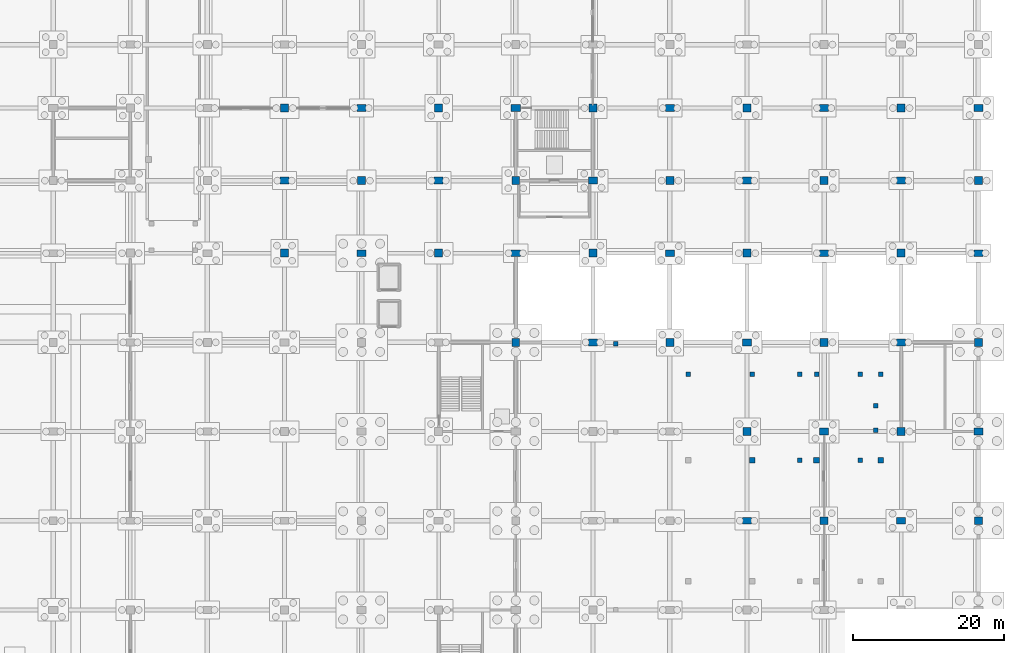
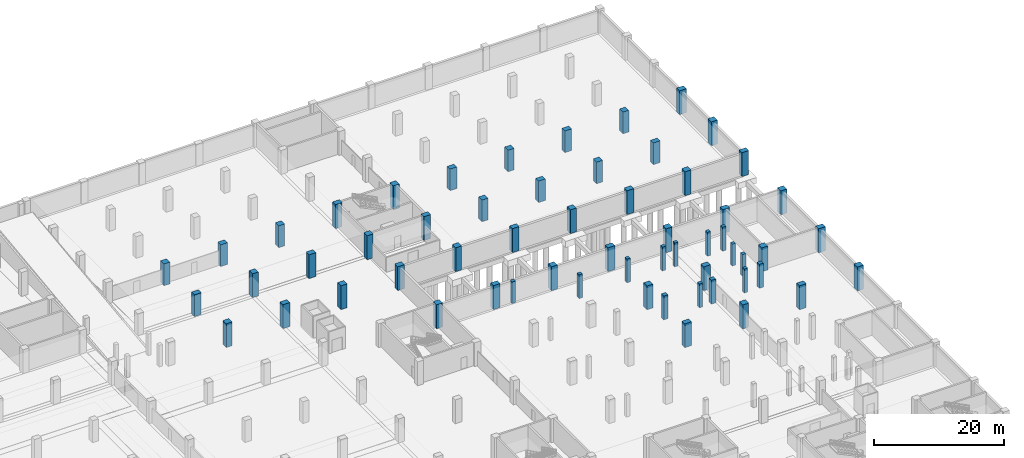
# One storey, part 24 of 52: 59 columns.
"""IFC4 building model written with IfcOpenShell, lengths in metres."""

import ifcopenshell
import ifcopenshell.guid

model = None  # the IFC model being written
_history = None  # IfcOwnerHistory: only IFC2X3 demands one
_inside = {}  # id of a spatial element -> (the spatial element, [elements in it])
_under = {}  # id of a project, library or spatial element -> (it, [spatial elements below it])
_declared = {}  # id of a project -> (the project, [libraries it declares])
_typed = {}  # id of a type object -> (the type object, [elements of that type])
_made_of = {}  # id of a material, layer set ... -> (it, [elements and type objects made of it])


def new_model(schema):
    """Start an empty IFC model of exactly this schema.

    Asked for "IFC4X3", IfcOpenShell would pick the latest addendum, in which some entities
    have other attributes; the version numbers below select the first issue.
    IFC2X3 requires an IfcOwnerHistory on every rooted entity: one is made here for all.
    """
    global model, _history
    if schema == "IFC4X3":
        model = ifcopenshell.file(schema_version=(4, 3, 0, 0))
    else:
        model = ifcopenshell.file(schema=schema)
    _inside.clear()
    _under.clear()
    _declared.clear()
    _typed.clear()
    _made_of.clear()
    _history = None
    if model.schema == "IFC2X3":
        org = make("IfcOrganization", Name="unknown")
        user = make(
            "IfcPersonAndOrganization",
            ThePerson=make("IfcPerson", FamilyName="unknown"),
            TheOrganization=org,
        )
        app = make(
            "IfcApplication",
            ApplicationDeveloper=org,
            Version="unknown",
            ApplicationFullName="unknown",
            ApplicationIdentifier="unknown",
        )
        _history = make(
            "IfcOwnerHistory",
            OwningUser=user,
            OwningApplication=app,
            ChangeAction="ADDED",
            CreationDate=0,
        )
    return model


def make(cls, **values):
    """One entity of the class cls with the attributes given. An attribute that is None is left unset."""
    return model.create_entity(
        cls, **{name: value for name, value in values.items() if value is not None}
    )


def rooted(cls, **values):
    """An entity with a GlobalId (a new one), such as an element, a storey or a relation."""
    return make(cls, GlobalId=ifcopenshell.guid.new(), OwnerHistory=_history, **values)


def si_unit(unit_type, name, prefix=None):
    """IfcSIUnit, for example si_unit("LENGTHUNIT", "METRE", prefix="MILLI")."""
    return make("IfcSIUnit", UnitType=unit_type, Prefix=prefix, Name=name)


def assignment(units):
    """IfcUnitAssignment: the units of a project."""
    return None if units is None else make("IfcUnitAssignment", Units=units)


def point(xyz):
    """IfcCartesianPoint."""
    return None if xyz is None else make("IfcCartesianPoint", Coordinates=xyz)


def direction(xyz):
    """IfcDirection."""
    return None if xyz is None else make("IfcDirection", DirectionRatios=xyz)


def frame(location, z_axis=None, x_axis=None):
    """IfcAxis2Placement3D, a coordinate frame: its origin and axes. An axis left out is left unset."""
    return make(
        "IfcAxis2Placement3D",
        Location=point(location),
        Axis=direction(z_axis),
        RefDirection=direction(x_axis),
    )


def frame_2d(location, x_axis=None):
    """IfcAxis2Placement2D, a coordinate frame in the plane: its origin and x axis."""
    return make(
        "IfcAxis2Placement2D", Location=point(location), RefDirection=direction(x_axis)
    )


def origin():
    """The frame at (0, 0, 0) with its axes left unset."""
    return frame((0.0, 0.0, 0.0))


def origin_2d():
    """The frame at (0, 0) in the plane with its x axis left unset."""
    return frame_2d((0.0, 0.0))


def place(relative_to, where):
    """IfcLocalPlacement: puts the frame where relative to a parent placement (None: the world)."""
    return make(
        "IfcLocalPlacement", PlacementRelTo=relative_to, RelativePlacement=where
    )


def context(
    kind, dimensions, precision=None, world=None, true_north=None, identifier=None
):
    """IfcGeometricRepresentationContext, for example the 3D "Model" context."""
    return make(
        "IfcGeometricRepresentationContext",
        ContextIdentifier=identifier,
        ContextType=kind,
        CoordinateSpaceDimension=dimensions,
        Precision=precision,
        WorldCoordinateSystem=world,
        TrueNorth=true_north,
    )


def subcontext(parent, identifier, kind, view, scale=None):
    """IfcGeometricRepresentationSubContext, for example "Body" below "Model"."""
    return make(
        "IfcGeometricRepresentationSubContext",
        ContextIdentifier=identifier,
        ContextType=kind,
        ParentContext=parent,
        TargetScale=scale,
        TargetView=view,
    )


def project(units=None, contexts=None):
    """IfcProject with its units and contexts."""
    return rooted(
        "IfcProject",
        Name="project",
        RepresentationContexts=contexts,
        UnitsInContext=assignment(units),
    )


def spatial(cls, under=None, at=None, **own):
    """A site, building, storey or space (cls), placed at a placement, below another one or the project."""
    s = rooted(cls, ObjectPlacement=at, **own)
    if under is not None:
        _under.setdefault(under.id(), (under, []))[1].append(s)
    return s


def profile(cls, at=None, kind="AREA", **sizes):
    """A parametric profile (cls). Its sizes go by their IFC names, for example OverallWidth=200.0."""
    return make(cls, ProfileType=kind, Position=at, **sizes)


def rectangle(**sizes):
    """IfcRectangleProfileDef."""
    return profile("IfcRectangleProfileDef", **sizes)


def extrude(swept, where, along, depth):
    """IfcExtrudedAreaSolid: the profile swept, set in the frame where, extruded along a direction by depth."""
    return make(
        "IfcExtrudedAreaSolid",
        SweptArea=swept,
        Position=where,
        ExtrudedDirection=direction(along),
        Depth=depth,
    )


def shape(context_of_items, identifier, shape_type, items):
    """IfcShapeRepresentation: the items that make up one representation, for example the "Body"."""
    return make(
        "IfcShapeRepresentation",
        ContextOfItems=context_of_items,
        RepresentationIdentifier=identifier,
        RepresentationType=shape_type,
        Items=items,
    )


def material(Name=None, Category=None):
    """IfcMaterial."""
    return make("IfcMaterial", Name=Name, Category=Category)


def material_profile(
    of_material, cross_section, Name=None, Category=None, Priority=None
):
    """IfcMaterialProfile: a cross section and its material."""
    return make(
        "IfcMaterialProfile",
        Name=Name,
        Material=of_material,
        Profile=cross_section,
        Priority=Priority,
        Category=Category,
    )


def profile_set(profiles, Name=None, composite=None):
    """IfcMaterialProfileSet."""
    return make(
        "IfcMaterialProfileSet",
        Name=Name,
        MaterialProfiles=profiles,
        CompositeProfile=composite,
    )


def made_of(thing, what):
    """Note that an element or type object is made of a material, layer set ...; save() writes the relation."""
    if what is not None:
        _made_of.setdefault(what.id(), (what, []))[1].append(thing)
    return thing


def type_object(cls, material=None, **own):
    """A type object (cls), such as IfcWallType, which elements share."""
    return made_of(rooted(cls, **own), material)


def element(
    cls,
    number,
    at=None,
    inside=None,
    cuts=None,
    type_object=None,
    material=None,
    context=None,
    identifier="Body",
    shape_type=None,
    held_by="IfcProductDefinitionShape",
    body=None,
    shapes=None,
    **own,
):
    """One element of the class cls, such as IfcWall. Its Tag is "e" and its number.

    at: its placement. inside: the storey or other place that contains it. cuts: it is an
    opening in that element (IfcRelVoidsElement). A single representation is given by context,
    identifier, shape_type and body (its items); several are given by shapes. held_by: the class
    of the entity that holds the representations. save() writes the other relations.
    """
    e = rooted(cls, Tag="e%d" % number, ObjectPlacement=at, **own)
    if body is not None:
        shapes = [shape(context, identifier, shape_type, body)]
    if shapes is not None:
        e.Representation = make(held_by, Representations=shapes)
    if inside is not None:
        _inside.setdefault(inside.id(), (inside, []))[1].append(e)
    if cuts is not None:
        rooted(
            "IfcRelVoidsElement", RelatingBuildingElement=cuts, RelatedOpeningElement=e
        )
    if type_object is not None:
        _typed.setdefault(type_object.id(), (type_object, []))[1].append(e)
    return made_of(e, material)


def aggregate(whole, parts):
    """IfcRelAggregates: a whole, such as a stair, and the parts it consists of."""
    return rooted("IfcRelAggregates", RelatingObject=whole, RelatedObjects=parts)


def save(model, path):
    """Write the relations noted so far, then the file.

    IfcRelAggregates (storeys below a building ...), IfcRelContainedInSpatialStructure (elements
    in a storey), IfcRelDefinesByType, IfcRelAssociatesMaterial and IfcRelDeclares: one each for
    every whole, place, type object, material and project.
    """
    for whole, parts in _under.values():
        aggregate(whole, parts)
    for where, things in _inside.values():
        rooted(
            "IfcRelContainedInSpatialStructure",
            RelatedElements=things,
            RelatingStructure=where,
        )
    for kind, things in _typed.values():
        rooted("IfcRelDefinesByType", RelatedObjects=things, RelatingType=kind)
    for what, things in _made_of.values():
        rooted("IfcRelAssociatesMaterial", RelatedObjects=things, RelatingMaterial=what)
    for by, libraries in _declared.values():
        rooted("IfcRelDeclares", RelatingContext=by, RelatedDefinitions=libraries)
    model.write(path)


model = new_model("IFC4")

# Units and contexts
model_context = context("Model", 3, precision=1e-05, world=origin(), true_north=direction((0.0, 1.0)))
body_context = subcontext(model_context, "Body", "Model", "MODEL_VIEW")
ifc_project = project(units=[si_unit("LENGTHUNIT", "METRE"), si_unit("AREAUNIT", "SQUARE_METRE"), si_unit("VOLUMEUNIT", "CUBIC_METRE"), si_unit("PLANEANGLEUNIT", "RADIAN"), si_unit("MASSUNIT", "GRAM", prefix="KILO")], contexts=[model_context])

# Site, building, storey
site_placement = place(None, origin())
site = spatial("IfcSite", under=ifc_project, at=site_placement, CompositionType="ELEMENT")
building_placement = place(site_placement, origin())
building = spatial("IfcBuilding", under=site, at=building_placement, Name="Brelvane Convention Centre", CompositionType="ELEMENT")
storey_placement = place(building_placement, frame((0.0, 0.0, -4.5)))
storey = spatial("IfcBuildingStorey", under=building, at=storey_placement, Name="B1", CompositionType="ELEMENT", Elevation=-4.5)

# Columns
ifc_material_1 = material(Name="Concrete M50", Category="concrete")
ifc_material_profile_1 = material_profile(ifc_material_1, rectangle(XDim=1.050048828125, YDim=1.050048828125, at=origin_2d()), Name="RC 1050x1050")
ifc_profile_set_1 = profile_set([ifc_material_profile_1], Name="Concrete M50")
column_type_1 = type_object("IfcColumnType", Name="RC Column C-RC1 (RC 1050x1050)", PredefinedType="COLUMN", material=ifc_profile_set_1)
column_1_placement = place(storey_placement, frame((132.60009765625, 99.60009765625, 0.0), z_axis=(0.0, 0.0, 1.0), x_axis=(1.0, 0.0, 0.0)))
element("IfcColumn", 1, at=column_1_placement, inside=storey, type_object=column_type_1, Name="Column 14-K (B1)", PredefinedType="COLUMN", context=body_context, shape_type="SweptSolid", body=[
    extrude(rectangle(XDim=1.050048828125, YDim=1.050048828125, at=origin_2d()), origin(), (0.0, 0.0, 1.0), 4.5),
])
column_2_placement = place(storey_placement, frame((132.60009765625, 118.800048828125, 0.0), z_axis=(0.0, 0.0, 1.0), x_axis=(1.0, 0.0, 0.0)))
element("IfcColumn", 2, at=column_2_placement, inside=storey, type_object=column_type_1, Name="Column 14-M (B1)", PredefinedType="COLUMN", context=body_context, shape_type="SweptSolid", body=[
    extrude(rectangle(XDim=1.050048828125, YDim=1.050048828125, at=origin_2d()), origin(), (0.0, 0.0, 1.0), 4.10009765625),
])
for number, where, z_axis, x_axis, name in (
    (3, (142.800048828125, 109.199951171875, 0.0), (0.0, 0.0, 1.0), (1.0, 0.0, 0.0), "Column 15-L (B1)"),
    (4, (153.0, 99.60009765625, 0.0), (0.0, 0.0, 1.0), (1.0, 0.0, 0.0), "Column 16-K (B1)"),
):
    element("IfcColumn", number, at=place(storey_placement, frame(where, z_axis=z_axis, x_axis=x_axis)), inside=storey, type_object=column_type_1, Name=name, PredefinedType="COLUMN", context=body_context, shape_type="SweptSolid", body=[
        extrude(rectangle(XDim=1.050048828125, YDim=1.050048828125, at=origin_2d()), origin(), (0.0, 0.0, 1.0), 4.5),
    ])
column_3_placement = place(storey_placement, frame((153.0, 118.800048828125, 0.0), z_axis=(0.0, 0.0, 1.0), x_axis=(1.0, 0.0, 0.0)))
element("IfcColumn", 5, at=column_3_placement, inside=storey, type_object=column_type_1, Name="Column 16-M (B1)", PredefinedType="COLUMN", context=body_context, shape_type="SweptSolid", body=[
    extrude(rectangle(XDim=1.050048828125, YDim=1.050048828125, at=origin_2d()), origin(), (0.0, 0.0, 1.0), 4.10009765625),
])
for number, where, z_axis, x_axis, name in (
    (6, (163.199951171875, 87.800048828125, 0.0), (0.0, 0.0, 1.0), (1.0, 0.0, 0.0), "Column 17-J (B1)"),
    (7, (163.199951171875, 109.199951171875, 0.0), (0.0, 0.0, 1.0), (1.0, 0.0, 0.0), "Column 17-L (B1)"),
    (8, (173.39990234375, 99.60009765625, 0.0), (0.0, 0.0, 1.0), (1.0, 0.0, 0.0), "Column 18-K (B1)"),
    (9, (173.39990234375, 118.800048828125, 0.0), (0.0, 0.0, 1.0), (1.0, 0.0, 0.0), "Column 18-M (B1)"),
    (10, (183.60009765625, 87.800048828125, 0.0), (0.0, 0.0, 1.0), (1.0, 0.0, 0.0), "Column 19-J (B1)"),
):
    element("IfcColumn", number, at=place(storey_placement, frame(where, z_axis=z_axis, x_axis=x_axis)), inside=storey, type_object=column_type_1, Name=name, PredefinedType="COLUMN", context=body_context, shape_type="SweptSolid", body=[
        extrude(rectangle(XDim=1.050048828125, YDim=1.050048828125, at=origin_2d()), origin(), (0.0, 0.0, 1.0), 4.5),
    ])
column_4_placement = place(storey_placement, frame((183.60009765625, 109.199951171875, 0.0), z_axis=(0.0, 0.0, 1.0), x_axis=(1.0, 0.0, 0.0)))
element("IfcColumn", 11, at=column_4_placement, inside=storey, type_object=column_type_1, Name="Column 19-L (B1)", PredefinedType="COLUMN", context=body_context, shape_type="SweptSolid", body=[
    extrude(rectangle(XDim=1.050048828125, YDim=1.050048828125, at=origin_2d()), origin(), (0.0, 0.0, 1.0), 4.054931640625),
])
for number, where, z_axis, x_axis, name in (
    (12, (193.800048828125, 76.0, 0.0), (0.0, 0.0, 1.0), (1.0, 0.0, 0.0), "Column 20-H (B1)"),
    (13, (193.800048828125, 99.60009765625, 0.0), (0.0, 0.0, 1.0), (1.0, 0.0, 0.0), "Column 20-K (B1)"),
):
    element("IfcColumn", number, at=place(storey_placement, frame(where, z_axis=z_axis, x_axis=x_axis)), inside=storey, type_object=column_type_1, Name=name, PredefinedType="COLUMN", context=body_context, shape_type="SweptSolid", body=[
        extrude(rectangle(XDim=1.050048828125, YDim=1.050048828125, at=origin_2d()), origin(), (0.0, 0.0, 1.0), 4.5),
    ])
column_5_placement = place(storey_placement, frame((193.800048828125, 118.800048828125, 0.0), z_axis=(0.0, 0.0, 1.0), x_axis=(1.0, 0.0, 0.0)))
element("IfcColumn", 14, at=column_5_placement, inside=storey, type_object=column_type_1, Name="Column 20-M (B1)", PredefinedType="COLUMN", context=body_context, shape_type="SweptSolid", body=[
    extrude(rectangle(XDim=1.050048828125, YDim=1.050048828125, at=origin_2d()), origin(), (0.0, 0.0, 1.0), 4.054931640625),
])
for number, where, z_axis, x_axis, name in (
    (15, (204.0, 64.199951171875, 0.0), (0.0, 0.0, 1.0), (1.0, 0.0, 0.0), "Column 21-G (B1)"),
    (16, (204.0, 87.800048828125, 0.0), (0.0, 0.0, 1.0), (1.0, 0.0, 0.0), "Column 21-J (B1)"),
):
    element("IfcColumn", number, at=place(storey_placement, frame(where, z_axis=z_axis, x_axis=x_axis)), inside=storey, type_object=column_type_1, Name=name, PredefinedType="COLUMN", context=body_context, shape_type="SweptSolid", body=[
        extrude(rectangle(XDim=1.050048828125, YDim=1.050048828125, at=origin_2d()), origin(), (0.0, 0.0, 1.0), 4.5),
    ])
column_6_placement = place(storey_placement, frame((204.0, 109.199951171875, 0.0), z_axis=(0.0, 0.0, 1.0), x_axis=(1.0, 0.0, 0.0)))
element("IfcColumn", 17, at=column_6_placement, inside=storey, type_object=column_type_1, Name="Column 21-L (B1)", PredefinedType="COLUMN", context=body_context, shape_type="SweptSolid", body=[
    extrude(rectangle(XDim=1.050048828125, YDim=1.050048828125, at=origin_2d()), origin(), (0.0, 0.0, 1.0), 4.054931640625),
])
for number, where, z_axis, x_axis, name in (
    (18, (214.199951171875, 76.0, 0.0), (0.0, 0.0, 1.0), (1.0, 0.0, 0.0), "Column 22-H (B1)"),
    (19, (214.199951171875, 99.60009765625, 0.0), (0.0, 0.0, 1.0), (1.0, 0.0, 0.0), "Column 22-K (B1)"),
):
    element("IfcColumn", number, at=place(storey_placement, frame(where, z_axis=z_axis, x_axis=x_axis)), inside=storey, type_object=column_type_1, Name=name, PredefinedType="COLUMN", context=body_context, shape_type="SweptSolid", body=[
        extrude(rectangle(XDim=1.050048828125, YDim=1.050048828125, at=origin_2d()), origin(), (0.0, 0.0, 1.0), 4.5),
    ])
column_7_placement = place(storey_placement, frame((214.199951171875, 118.800048828125, 0.0), z_axis=(0.0, 0.0, 1.0), x_axis=(1.0, 0.0, 0.0)))
element("IfcColumn", 20, at=column_7_placement, inside=storey, type_object=column_type_1, Name="Column 22-M (B1)", PredefinedType="COLUMN", context=body_context, shape_type="SweptSolid", body=[
    extrude(rectangle(XDim=1.050048828125, YDim=1.050048828125, at=origin_2d()), origin(), (0.0, 0.0, 1.0), 4.054931640625),
])
for number, where, z_axis, x_axis, name in (
    (21, (224.39990234375, 64.199951171875, 0.0), (0.0, 0.0, 1.0), (1.0, 0.0, 0.0), "Column 23-G (B1)"),
    (22, (224.39990234375, 87.800048828125, 0.0), (0.0, 0.0, 1.0), (1.0, 0.0, 0.0), "Column 23-J (B1)"),
    (23, (224.39990234375, 109.199951171875, 0.0), (0.0, 0.0, 1.0), (1.0, 0.0, 0.0), "Column 23-L (B1)"),
):
    element("IfcColumn", number, at=place(storey_placement, frame(where, z_axis=z_axis, x_axis=x_axis)), inside=storey, type_object=column_type_1, Name=name, PredefinedType="COLUMN", context=body_context, shape_type="SweptSolid", body=[
        extrude(rectangle(XDim=1.050048828125, YDim=1.050048828125, at=origin_2d()), origin(), (0.0, 0.0, 1.0), 4.5),
    ])
ifc_material_2 = material(Name="Concrete M50", Category="concrete")
ifc_material_profile_2 = material_profile(ifc_material_2, rectangle(XDim=0.75, YDim=0.75, at=origin_2d()), Name="RC 750x750")
ifc_profile_set_2 = profile_set([ifc_material_profile_2], Name="Concrete M50")
column_type_2 = type_object("IfcColumnType", Name="RC Column C-RC3 (RC 750x750)", PredefinedType="COLUMN", material=ifc_profile_set_2)
for number, where, z_axis, x_axis, name in (
    (24, (194.5, 72.199951171875, 0.0), (0.0, 0.0, 1.0), (1.0, 0.0, 0.0), "Plenary Bowl Tier Column B1 L2-Y72"),
    (25, (203.0, 72.199951171875, 0.0), (0.0, 0.0, 1.0), (1.0, 0.0, 0.0), "Plenary Bowl Tier Column B1 L3-Y72"),
    (26, (211.5, 72.199951171875, 0.0), (0.0, 0.0, 1.0), (1.0, 0.0, 0.0), "Plenary Bowl Tier Column B1 L4-Y72"),
):
    element("IfcColumn", number, at=place(storey_placement, frame(where, z_axis=z_axis, x_axis=x_axis)), inside=storey, type_object=column_type_2, Name=name, PredefinedType="COLUMN", context=body_context, shape_type="SweptSolid", body=[
        extrude(rectangle(XDim=0.75, YDim=0.75, at=origin_2d()), origin(), (0.0, 0.0, 1.0), 4.5),
    ])
ifc_material_3 = material(Name="Concrete M50", Category="concrete")
ifc_material_profile_3 = material_profile(ifc_material_3, rectangle(XDim=0.60009765625, YDim=0.60009765625, at=origin_2d()), Name="RC 600x600")
ifc_profile_set_3 = profile_set([ifc_material_profile_3], Name="Concrete M50")
column_type_3 = type_object("IfcColumnType", Name="RC Column C-RC4 (RC 600x600)", PredefinedType="COLUMN", material=ifc_profile_set_3)
for number, where, z_axis, x_axis, name in (
    (27, (210.800048828125, 76.199951171875, 0.0), (0.0, 0.0, 1.0), (1.0, 0.0, 0.0), "Plenary Gallery B1 Column 3"),
    (28, (210.800048828125, 79.39990234375, 0.0), (0.0, 0.0, 1.0), (1.0, 0.0, 0.0), "Plenary Gallery B1 Column 4"),
    (29, (176.39990234375, 87.60009765625, 0.0), (0.0, 0.0, 1.0), (1.0, 0.0, 0.0), "Plenary Gallery B1 Column 9"),
):
    element("IfcColumn", number, at=place(storey_placement, frame(where, z_axis=z_axis, x_axis=x_axis)), inside=storey, type_object=column_type_3, Name=name, PredefinedType="COLUMN", context=body_context, shape_type="SweptSolid", body=[
        extrude(rectangle(XDim=0.60009765625, YDim=0.60009765625, at=origin_2d()), origin(), (0.0, 0.0, 1.0), 4.10009765625),
    ])
for number, where, z_axis, x_axis, name in (
    (30, (186.0, 83.60009765625, 0.0), (0.0, 0.0, 1.0), (1.0, 0.0, 0.0), "Plenary Bowl Edge Column B1 L1-Y83"),
    (31, (194.5, 83.60009765625, 0.0), (0.0, 0.0, 1.0), (1.0, 0.0, 0.0), "Plenary Bowl Edge Column B1 L2-Y83"),
    (32, (203.0, 83.60009765625, 0.0), (0.0, 0.0, 1.0), (1.0, 0.0, 0.0), "Plenary Bowl Edge Column B1 L3-Y83"),
    (33, (211.5, 83.60009765625, 0.0), (0.0, 0.0, 1.0), (1.0, 0.0, 0.0), "Plenary Bowl Edge Column B1 L4-Y83"),
    (34, (200.800048828125, 72.199951171875, 0.0), (0.0, 0.0, 1.0), (1.0, 0.0, 0.0), "Plenary Balcony Tier Column B1 U1-Y72"),
    (35, (200.800048828125, 83.60009765625, 0.0), (0.0, 0.0, 1.0), (1.0, 0.0, 0.0), "Plenary Balcony Tier Column B1 U1-Y83"),
    (36, (208.800048828125, 72.199951171875, 0.0), (0.0, 0.0, 1.0), (1.0, 0.0, 0.0), "Plenary Balcony Tier Column B1 U2-Y72"),
    (37, (208.800048828125, 83.60009765625, 0.0), (0.0, 0.0, 1.0), (1.0, 0.0, 0.0), "Plenary Balcony Tier Column B1 U2-Y83"),
):
    element("IfcColumn", number, at=place(storey_placement, frame(where, z_axis=z_axis, x_axis=x_axis)), inside=storey, type_object=column_type_3, Name=name, PredefinedType="COLUMN", context=body_context, shape_type="SweptSolid", body=[
        extrude(rectangle(XDim=0.60009765625, YDim=0.60009765625, at=origin_2d()), origin(), (0.0, 0.0, 1.0), 4.5),
    ])
ifc_material_4 = material(Name="Concrete M50", Category="concrete")
ifc_material_profile_4 = material_profile(ifc_material_4, rectangle(XDim=1.199951171875, YDim=0.89990234375, at=origin_2d()), Name="RC 1200x900")
ifc_profile_set_4 = profile_set([ifc_material_profile_4], Name="Concrete M50")
column_type_4 = type_object("IfcColumnType", Name="RC Column C-RC5 (RC 1200x900)", PredefinedType="COLUMN", material=ifc_profile_set_4)
column_8_placement = place(storey_placement, frame((132.60009765625, 109.199951171875, 0.0), z_axis=(0.0, 0.0, 1.0), x_axis=(1.0, 0.0, 0.0)))
element("IfcColumn", 38, at=column_8_placement, inside=storey, type_object=column_type_4, Name="Column 14-L (B1)", PredefinedType="COLUMN", context=body_context, shape_type="SweptSolid", body=[
    extrude(rectangle(XDim=1.199951171875, YDim=0.89990234375, at=origin_2d()), origin(), (0.0, 0.0, 1.0), 4.10009765625),
])
column_9_placement = place(storey_placement, frame((142.800048828125, 99.60009765625, 0.0), z_axis=(0.0, 0.0, 1.0), x_axis=(1.0, 0.0, 0.0)))
element("IfcColumn", 39, at=column_9_placement, inside=storey, type_object=column_type_4, Name="Column 15-K (B1)", PredefinedType="COLUMN", context=body_context, shape_type="SweptSolid", body=[
    extrude(rectangle(XDim=1.199951171875, YDim=0.89990234375, at=origin_2d()), origin(), (0.0, 0.0, 1.0), 4.5),
])
column_10_placement = place(storey_placement, frame((142.800048828125, 118.800048828125, 0.0), z_axis=(0.0, 0.0, 1.0), x_axis=(1.0, 0.0, 0.0)))
element("IfcColumn", 40, at=column_10_placement, inside=storey, type_object=column_type_4, Name="Column 15-M (B1)", PredefinedType="COLUMN", context=body_context, shape_type="SweptSolid", body=[
    extrude(rectangle(XDim=1.199951171875, YDim=0.89990234375, at=origin_2d()), origin(), (0.0, 0.0, 1.0), 4.10009765625),
])
for number, where, z_axis, x_axis, name in (
    (41, (153.0, 109.199951171875, 0.0), (0.0, 0.0, 1.0), (1.0, 0.0, 0.0), "Column 16-L (B1)"),
    (42, (163.199951171875, 99.60009765625, 0.0), (0.0, 0.0, 1.0), (1.0, 0.0, 0.0), "Column 17-K (B1)"),
    (43, (163.199951171875, 118.800048828125, 0.0), (0.0, 0.0, 1.0), (1.0, 0.0, 0.0), "Column 17-M (B1)"),
    (44, (173.39990234375, 87.800048828125, 0.0), (0.0, 0.0, 1.0), (1.0, 0.0, 0.0), "Column 18-J (B1)"),
    (45, (173.39990234375, 109.199951171875, 0.0), (0.0, 0.0, 1.0), (1.0, 0.0, 0.0), "Column 18-L (B1)"),
    (46, (183.60009765625, 99.60009765625, 0.0), (0.0, 0.0, 1.0), (1.0, 0.0, 0.0), "Column 19-K (B1)"),
):
    element("IfcColumn", number, at=place(storey_placement, frame(where, z_axis=z_axis, x_axis=x_axis)), inside=storey, type_object=column_type_4, Name=name, PredefinedType="COLUMN", context=body_context, shape_type="SweptSolid", body=[
        extrude(rectangle(XDim=1.199951171875, YDim=0.89990234375, at=origin_2d()), origin(), (0.0, 0.0, 1.0), 4.5),
    ])
column_11_placement = place(storey_placement, frame((183.60009765625, 118.800048828125, 0.0), z_axis=(0.0, 0.0, 1.0), x_axis=(1.0, 0.0, 0.0)))
element("IfcColumn", 47, at=column_11_placement, inside=storey, type_object=column_type_4, Name="Column 19-M (B1)", PredefinedType="COLUMN", context=body_context, shape_type="SweptSolid", body=[
    extrude(rectangle(XDim=1.199951171875, YDim=0.89990234375, at=origin_2d()), origin(), (0.0, 0.0, 1.0), 4.054931640625),
])
for number, where, z_axis, x_axis, name in (
    (48, (193.800048828125, 64.199951171875, 0.0), (0.0, 0.0, 1.0), (1.0, 0.0, 0.0), "Column 20-G (B1)"),
    (49, (193.800048828125, 87.800048828125, 0.0), (0.0, 0.0, 1.0), (1.0, 0.0, 0.0), "Column 20-J (B1)"),
):
    element("IfcColumn", number, at=place(storey_placement, frame(where, z_axis=z_axis, x_axis=x_axis)), inside=storey, type_object=column_type_4, Name=name, PredefinedType="COLUMN", context=body_context, shape_type="SweptSolid", body=[
        extrude(rectangle(XDim=1.199951171875, YDim=0.89990234375, at=origin_2d()), origin(), (0.0, 0.0, 1.0), 4.5),
    ])
column_12_placement = place(storey_placement, frame((193.800048828125, 109.199951171875, 0.0), z_axis=(0.0, 0.0, 1.0), x_axis=(1.0, 0.0, 0.0)))
element("IfcColumn", 50, at=column_12_placement, inside=storey, type_object=column_type_4, Name="Column 20-L (B1)", PredefinedType="COLUMN", context=body_context, shape_type="SweptSolid", body=[
    extrude(rectangle(XDim=1.199951171875, YDim=0.89990234375, at=origin_2d()), origin(), (0.0, 0.0, 1.0), 4.054931640625),
])
for number, where, z_axis, x_axis, name in (
    (51, (204.0, 76.0, 0.0), (0.0, 0.0, 1.0), (1.0, 0.0, 0.0), "Column 21-H (B1)"),
    (52, (204.0, 99.60009765625, 0.0), (0.0, 0.0, 1.0), (1.0, 0.0, 0.0), "Column 21-K (B1)"),
):
    element("IfcColumn", number, at=place(storey_placement, frame(where, z_axis=z_axis, x_axis=x_axis)), inside=storey, type_object=column_type_4, Name=name, PredefinedType="COLUMN", context=body_context, shape_type="SweptSolid", body=[
        extrude(rectangle(XDim=1.199951171875, YDim=0.89990234375, at=origin_2d()), origin(), (0.0, 0.0, 1.0), 4.5),
    ])
column_13_placement = place(storey_placement, frame((204.0, 118.800048828125, 0.0), z_axis=(0.0, 0.0, 1.0), x_axis=(1.0, 0.0, 0.0)))
element("IfcColumn", 53, at=column_13_placement, inside=storey, type_object=column_type_4, Name="Column 21-M (B1)", PredefinedType="COLUMN", context=body_context, shape_type="SweptSolid", body=[
    extrude(rectangle(XDim=1.199951171875, YDim=0.89990234375, at=origin_2d()), origin(), (0.0, 0.0, 1.0), 4.054931640625),
])
for number, where, z_axis, x_axis, name in (
    (54, (214.199951171875, 64.199951171875, 0.0), (0.0, 0.0, 1.0), (1.0, 0.0, 0.0), "Column 22-G (B1)"),
    (55, (214.199951171875, 87.800048828125, 0.0), (0.0, 0.0, 1.0), (1.0, 0.0, 0.0), "Column 22-J (B1)"),
):
    element("IfcColumn", number, at=place(storey_placement, frame(where, z_axis=z_axis, x_axis=x_axis)), inside=storey, type_object=column_type_4, Name=name, PredefinedType="COLUMN", context=body_context, shape_type="SweptSolid", body=[
        extrude(rectangle(XDim=1.199951171875, YDim=0.89990234375, at=origin_2d()), origin(), (0.0, 0.0, 1.0), 4.5),
    ])
column_14_placement = place(storey_placement, frame((214.199951171875, 109.199951171875, 0.0), z_axis=(0.0, 0.0, 1.0), x_axis=(1.0, 0.0, 0.0)))
element("IfcColumn", 56, at=column_14_placement, inside=storey, type_object=column_type_4, Name="Column 22-L (B1)", PredefinedType="COLUMN", context=body_context, shape_type="SweptSolid", body=[
    extrude(rectangle(XDim=1.199951171875, YDim=0.89990234375, at=origin_2d()), origin(), (0.0, 0.0, 1.0), 4.054931640625),
])
for number, where, z_axis, x_axis, name in (
    (57, (224.39990234375, 76.0, 0.0), (0.0, 0.0, 1.0), (1.0, 0.0, 0.0), "Column 23-H (B1)"),
    (58, (224.39990234375, 99.60009765625, 0.0), (0.0, 0.0, 1.0), (1.0, 0.0, 0.0), "Column 23-K (B1)"),
    (59, (224.39990234375, 118.800048828125, 0.0), (0.0, 0.0, 1.0), (1.0, 0.0, 0.0), "Column 23-M (B1)"),
):
    element("IfcColumn", number, at=place(storey_placement, frame(where, z_axis=z_axis, x_axis=x_axis)), inside=storey, type_object=column_type_4, Name=name, PredefinedType="COLUMN", context=body_context, shape_type="SweptSolid", body=[
        extrude(rectangle(XDim=1.199951171875, YDim=0.89990234375, at=origin_2d()), origin(), (0.0, 0.0, 1.0), 4.5),
    ])

save(model, "model.ifc")
